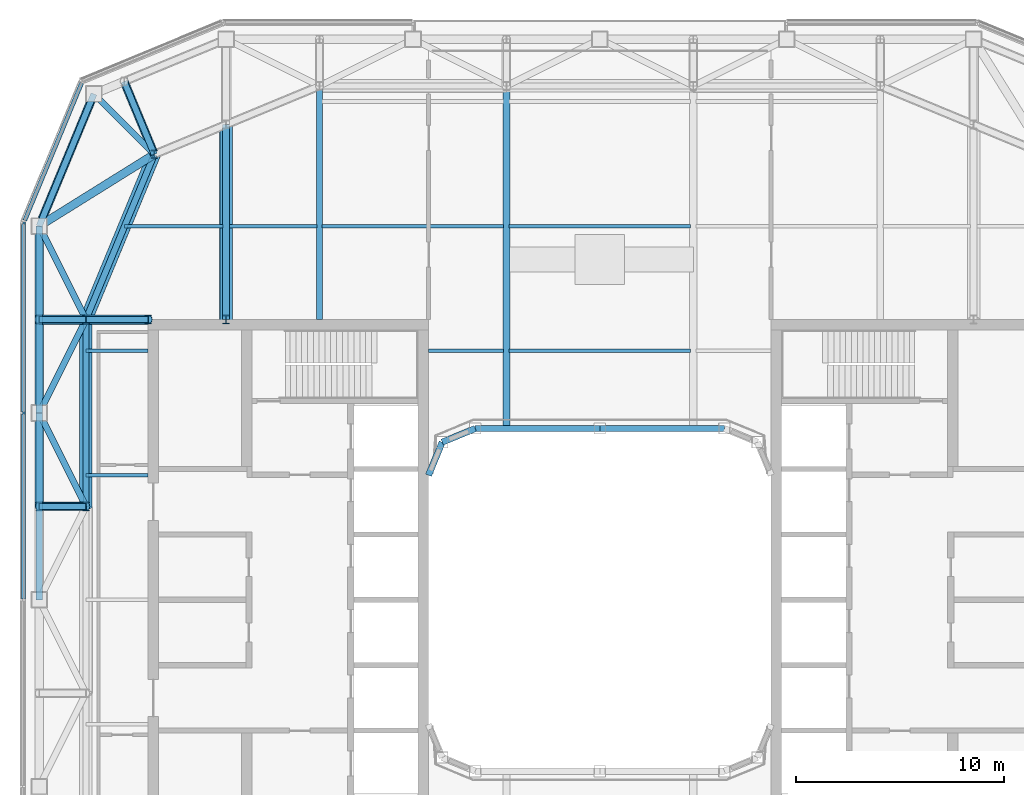
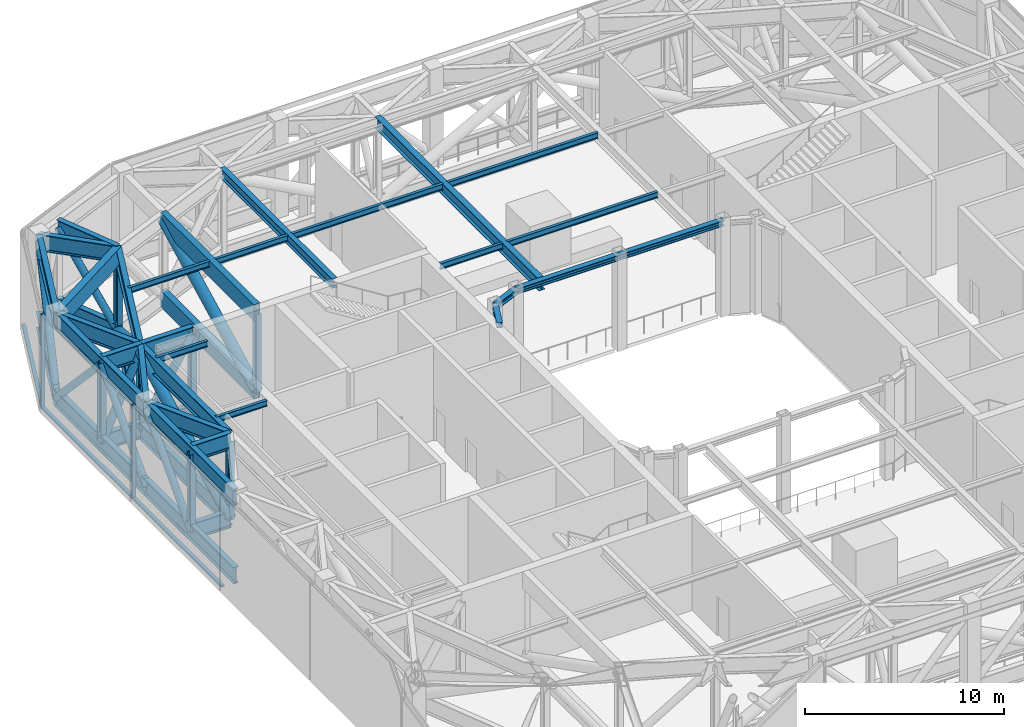
# One storey, part 6 of 21: 39 beams, 23 members, 2 elements without a shape of their own.
"""IFC4 building model written with IfcOpenShell, lengths in metres."""

from ifc_helpers import new_model, si_unit, direction, frame, origin, origin_2d, place, context, subcontext, project, spatial, rectangle, hollow_rectangle, hollow_circle, i_section, extrude, material, layer, layer_set, material_profile, profile_set, type_object, element, aggregate, save


model = new_model("IFC4")

# Units and contexts
model_context = context("Model", 3, precision=1e-05, world=origin(), true_north=direction((0.0, 1.0)))
body_context = subcontext(model_context, "Body", "Model", "MODEL_VIEW")
ifc_project = project(units=[si_unit("LENGTHUNIT", "METRE"), si_unit("AREAUNIT", "SQUARE_METRE"), si_unit("VOLUMEUNIT", "CUBIC_METRE"), si_unit("PLANEANGLEUNIT", "RADIAN"), si_unit("MASSUNIT", "GRAM", prefix="KILO")], contexts=[model_context])

# Site, building, storey
site_placement = place(None, origin())
site = spatial("IfcSite", under=ifc_project, at=site_placement, CompositionType="ELEMENT")
building_placement = place(site_placement, origin())
building = spatial("IfcBuilding", under=site, at=building_placement, Name="Siwar Civic Tower", CompositionType="ELEMENT")
storey_placement = place(building_placement, frame((0.0, 0.0, 278.199951171875)))
storey = spatial("IfcBuildingStorey", under=building, at=storey_placement, Name="L60", CompositionType="ELEMENT", Elevation=278.199951171875)

# Curtain wall, members
ifc_material_1 = material(Name="Aluminium and glass", Category="aluminium")
ifc_layer = layer(ifc_material_1, 0.199951171875)
ifc_layer_set = layer_set([ifc_layer], Name="Aluminium and glass")
curtain_wall_type = type_object("IfcCurtainWallType", Name="ENV-CW-P", PredefinedType="NOTDEFINED", material=ifc_layer_set)
curtain_wall_1_placement = place(storey_placement, origin())
curtain_wall_1 = element("IfcCurtainWall", 1, at=curtain_wall_1_placement, inside=storey, type_object=curtain_wall_type, Name="Curtain wall P W", PredefinedType="NOTDEFINED")
ifc_material_2 = material(Name="Aluminium 6063-T6", Category="aluminium")
ifc_material_profile_1 = material_profile(ifc_material_2, rectangle(XDim=0.199951171875, YDim=0.10009765625, at=origin_2d()), Name="AL 200x100")
ifc_profile_set_1 = profile_set([ifc_material_profile_1], Name="Aluminium 6063-T6")
member_type_1 = type_object("IfcMemberType", Name="ENV-MULLION-P", PredefinedType="MULLION", material=ifc_profile_set_1)
member_1_placement = place(storey_placement, frame((-27.75, 18.149169921875, 0.0), z_axis=(0.0, 0.0, 1.0), x_axis=(1.0, 0.0, 0.0)))
member_1 = element("IfcMember", 2, at=member_1_placement, type_object=member_type_1, Name="Mullion P W 1", PredefinedType="MULLION", context=body_context, shape_type="SweptSolid", body=[
    extrude(rectangle(XDim=0.199951171875, YDim=0.10009765625, at=origin_2d()), origin(), (0.0, 0.0, 1.0), 5.800048828125),
])
member_2_placement = place(storey_placement, frame((-27.75, 9.0, 0.0), z_axis=(0.0, 0.0, 1.0), x_axis=(1.0, 0.0, 0.0)))
member_2 = element("IfcMember", 3, at=member_2_placement, type_object=member_type_1, Name="Mullion P W 2", PredefinedType="MULLION", context=body_context, shape_type="SweptSolid", body=[
    extrude(rectangle(XDim=0.199951171875, YDim=0.10009765625, at=origin_2d()), origin(), (0.0, 0.0, 1.0), 5.800048828125),
])

# Curtain wall, member
curtain_wall_2_placement = place(storey_placement, origin())
curtain_wall_2 = element("IfcCurtainWall", 4, at=curtain_wall_2_placement, inside=storey, type_object=curtain_wall_type, Name="Curtain wall P NW2", PredefinedType="NOTDEFINED")
ifc_material_3 = material(Name="Aluminium 6063-T6", Category="aluminium")
ifc_material_profile_2 = material_profile(ifc_material_3, rectangle(XDim=0.199951171875, YDim=0.1201171875, at=origin_2d()), Name="AL 200x120")
ifc_profile_set_2 = profile_set([ifc_material_profile_2], Name="Aluminium 6063-T6")
member_type_2 = type_object("IfcMemberType", Name="ENV-TRANSOM-P", PredefinedType="USERDEFINED", material=ifc_profile_set_2)
member_3_placement = place(storey_placement, frame((-24.95703125, 24.891845703125, 0.06005859375), z_axis=(-0.382678484395, -0.923881582012, 0.0), x_axis=(0.923881582012, -0.382678484395, 0.0)))
member_3 = element("IfcMember", 5, at=member_3_placement, type_object=member_type_2, Name="Transom P NW2 1", ObjectType="TRANSOM", PredefinedType="USERDEFINED", context=body_context, shape_type="SweptSolid", body=[
    extrude(rectangle(XDim=0.199951171875, YDim=0.1201171875, at=origin_2d()), origin(), (0.0, 0.0, 1.0), 7.172119140625),
])
aggregate(curtain_wall_2, [member_3])

# Member
member_4_placement = place(storey_placement, frame((-27.75, 18.09912109375, 0.06005859375), z_axis=(0.0, -1.0, 0.0), x_axis=(1.0, 0.0, 0.0)))
member_4 = element("IfcMember", 6, at=member_4_placement, type_object=member_type_2, Name="Transom P W 1", ObjectType="TRANSOM", PredefinedType="USERDEFINED", context=body_context, shape_type="SweptSolid", body=[
    extrude(rectangle(XDim=0.199951171875, YDim=0.1201171875, at=origin_2d()), origin(), (0.0, 0.0, 1.0), 9.049072265625),
])

member_5_placement = place(storey_placement, frame((-27.75, 8.949951171875, 0.06005859375), z_axis=(0.0, -1.0, 0.0), x_axis=(1.0, 0.0, 0.0)))
member_5 = element("IfcMember", 7, at=member_5_placement, type_object=member_type_2, Name="Transom P W 2", ObjectType="TRANSOM", PredefinedType="USERDEFINED", context=body_context, shape_type="SweptSolid", body=[
    extrude(rectangle(XDim=0.199951171875, YDim=0.1201171875, at=origin_2d()), origin(), (0.0, 0.0, 1.0), 8.89990234375),
])

aggregate(curtain_wall_1, [member_1, member_2, member_4, member_5])

# Beams
ifc_material_4 = material(Name="Steel S460", Category="steel")
ifc_material_profile_3 = material_profile(ifc_material_4, i_section(OverallWidth=0.302001953125, OverallDepth=1.008056640625, WebThickness=0.02099609375, FlangeThickness=0.0400390625, FilletRadius=0.030029296875, at=origin_2d()), Name="HEM1000")
ifc_profile_set_3 = profile_set([ifc_material_profile_3], Name="Steel S460")
beam_type_1 = type_object("IfcBeamType", Name="STR-BELT-TRUSS-CHORD-HEM1000", PredefinedType="BEAM", material=ifc_profile_set_3)
for number, where, z_axis, x_axis, name in (
    (8, (-21.454833984375, 21.454833984375, 0.504150390625), (-0.382699877515, -0.923872720536, 0.0), (0.923872720536, -0.382699877515, 0.0), "Belt truss chord"),
    (9, (-21.454833984375, 21.454833984375, 5.296142578125), (-0.382699877515, -0.923872720536, 0.0), (0.923872720536, -0.382699877515, 0.0), "Belt truss chord"),
):
    element("IfcBeam", number, at=place(storey_placement, frame(where, z_axis=z_axis, x_axis=x_axis)), inside=storey, type_object=beam_type_1, Name=name, PredefinedType="BEAM", context=body_context, shape_type="SweptSolid", body=[
        extrude(i_section(OverallWidth=0.302001953125, OverallDepth=1.008056640625, WebThickness=0.02099609375, FlangeThickness=0.0400390625, FilletRadius=0.030029296875, at=origin_2d()), origin(), (0.0, 0.0, 1.0), 8.6103515625),
    ])
for number, where, z_axis, x_axis, name in (
    (10, (-24.75, 13.5, 0.504150390625), (0.0, -1.0, 0.0), (1.0, 0.0, 0.0), "Belt truss chord"),
    (11, (-24.75, 13.5, 5.296142578125), (0.0, -1.0, 0.0), (1.0, 0.0, 0.0), "Belt truss chord"),
):
    element("IfcBeam", number, at=place(storey_placement, frame(where, z_axis=z_axis, x_axis=x_axis)), inside=storey, type_object=beam_type_1, Name=name, PredefinedType="BEAM", context=body_context, shape_type="SweptSolid", body=[
        extrude(i_section(OverallWidth=0.302001953125, OverallDepth=1.008056640625, WebThickness=0.02099609375, FlangeThickness=0.0400390625, FilletRadius=0.030029296875, at=origin_2d()), origin(), (0.0, 0.0, 1.0), 9.0),
    ])
for number, where, z_axis, x_axis, name in (
    (12, (-24.364013671875, 24.364013671875, 0.504150390625), (-0.382674207535, -0.923883353507, 0.0), (0.923883353507, -0.382674207535, 0.0), "Belt truss chord"),
    (13, (-24.364013671875, 24.364013671875, 5.296142578125), (-0.382674207535, -0.923883353507, 0.0), (0.923883353507, -0.382674207535, 0.0), "Belt truss chord"),
):
    element("IfcBeam", number, at=place(storey_placement, frame(where, z_axis=z_axis, x_axis=x_axis)), inside=storey, type_object=beam_type_1, Name=name, PredefinedType="BEAM", context=body_context, shape_type="SweptSolid", body=[
        extrude(i_section(OverallWidth=0.302001953125, OverallDepth=1.008056640625, WebThickness=0.02099609375, FlangeThickness=0.0400390625, FilletRadius=0.030029296875, at=origin_2d()), origin(), (0.0, 0.0, 1.0), 6.888427734375),
    ])
for number, where, z_axis, x_axis, name in (
    (14, (-27.0, 18.0, 0.504150390625), (0.0, -1.0, 0.0), (1.0, 0.0, 0.0), "Belt truss chord"),
    (15, (-27.0, 18.0, 5.296142578125), (0.0, -1.0, 0.0), (1.0, 0.0, 0.0), "Belt truss chord"),
    (16, (-27.0, 9.0, 0.504150390625), (0.0, -1.0, 0.0), (1.0, 0.0, 0.0), "Belt truss chord"),
    (17, (-27.0, 9.0, 5.296142578125), (0.0, -1.0, 0.0), (1.0, 0.0, 0.0), "Belt truss chord"),
):
    element("IfcBeam", number, at=place(storey_placement, frame(where, z_axis=z_axis, x_axis=x_axis)), inside=storey, type_object=beam_type_1, Name=name, PredefinedType="BEAM", context=body_context, shape_type="SweptSolid", body=[
        extrude(i_section(OverallWidth=0.302001953125, OverallDepth=1.008056640625, WebThickness=0.02099609375, FlangeThickness=0.0400390625, FilletRadius=0.030029296875, at=origin_2d()), origin(), (0.0, 0.0, 1.0), 9.0),
    ])

# Members
ifc_material_5 = material(Name="Steel S355", Category="steel")
ifc_material_profile_4 = material_profile(ifc_material_5, hollow_circle(Radius=0.203125, WallThickness=0.01611328125, at=origin_2d()), Name="CHS406.4x16")
ifc_profile_set_4 = profile_set([ifc_material_profile_4], Name="Steel S355")
member_type_3 = type_object("IfcMemberType", Name="STR-BELT-TRUSS-DIAGONAL-CHS406.4x16", PredefinedType="BRACE", material=ifc_profile_set_4)
member_6_placement = place(storey_placement, frame((-27.00146484375, 17.99609375, 0.501220703125), z_axis=(0.314142859752, 0.758418164088, 0.571065803606), x_axis=(-0.923881354208, 0.38267903437, 0.0)))
element("IfcMember", 18, at=member_6_placement, inside=storey, type_object=member_type_3, Name="Belt truss diagonal", PredefinedType="BRACE", context=body_context, shape_type="SweptSolid", body=[
    extrude(hollow_circle(Radius=0.203125, WallThickness=0.01611328125, at=origin_2d()), origin(), (0.0, 0.0, 1.0), 8.401123046875),
])
for number, where, z_axis, x_axis, name in (
    (19, (-27.0, 18.00341796875, 0.50048828125), (0.0, -0.684545317859, 0.728970306526), (1.0, 0.0, 0.0), "Belt truss diagonal"),
    (20, (-27.0, 8.99658203125, 0.50048828125), (0.0, 0.684545317859, 0.728970306526), (-1.0, 0.0, 0.0), "Belt truss diagonal"),
    (21, (-27.0, 4.49658203125, 0.50048828125), (0.0, 0.684545317859, 0.728970306526), (-1.0, 0.0, 0.0), "Belt truss diagonal"),
):
    element("IfcMember", number, at=place(storey_placement, frame(where, z_axis=z_axis, x_axis=x_axis)), inside=storey, type_object=member_type_3, Name=name, PredefinedType="BRACE", context=body_context, shape_type="SweptSolid", body=[
        extrude(hollow_circle(Radius=0.203125, WallThickness=0.01611328125, at=origin_2d()), origin(), (0.0, 0.0, 1.0), 6.583740234375),
    ])
member_7_placement = place(storey_placement, frame((-21.453857421875, 21.4521484375, 0.500244140625), z_axis=(-0.237796368673, 0.574106667856, 0.783488622106), x_axis=(-0.923883173454, -0.382674642233, 0.0)))
element("IfcMember", 22, at=member_7_placement, inside=storey, type_object=member_type_3, Name="Belt truss diagonal", PredefinedType="BRACE", context=body_context, shape_type="SweptSolid", body=[
    extrude(hollow_circle(Radius=0.203125, WallThickness=0.01611328125, at=origin_2d()), origin(), (0.0, 0.0, 1.0), 6.126220703125),
])
member_8_placement = place(storey_placement, frame((-24.747802734375, 4.5, 0.49951171875), z_axis=(-0.425038765055, 0.0, 0.905175147803), x_axis=(0.0, -1.0, 0.0)))
element("IfcMember", 23, at=member_8_placement, inside=storey, type_object=member_type_3, Name="Belt truss diagonal", PredefinedType="BRACE", context=body_context, shape_type="SweptSolid", body=[
    extrude(hollow_circle(Radius=0.203125, WallThickness=0.01611328125, at=origin_2d()), origin(), (0.0, 0.0, 1.0), 5.303955078125),
])
ifc_material_6 = material(Name="Steel S355", Category="steel")
ifc_material_profile_5 = material_profile(ifc_material_6, hollow_circle(Radius=0.304931640625, WallThickness=0.030029296875, at=origin_2d()), Name="CHS610x30")
ifc_profile_set_5 = profile_set([ifc_material_profile_5], Name="Steel S355")
member_type_4 = type_object("IfcMemberType", Name="STR-BELT-TRUSS-DIAGONAL-CHS610x30", PredefinedType="BRACE", material=ifc_profile_set_5)
member_9_placement = place(storey_placement, frame((-21.453369140625, 21.458984375, 0.501708984375), z_axis=(-0.334378008671, -0.807284049506, 0.486296011427), x_axis=(0.923883575944, -0.382673670509, 0.0)))
element("IfcMember", 24, at=member_9_placement, inside=storey, type_object=member_type_4, Name="Belt truss diagonal", PredefinedType="BRACE", context=body_context, shape_type="SweptSolid", body=[
    extrude(hollow_circle(Radius=0.304931640625, WallThickness=0.030029296875, at=origin_2d()), origin(), (0.0, 0.0, 1.0), 9.864013671875),
])
member_10_placement = place(storey_placement, frame((-24.75, 4.49560546875, 0.501708984375), z_axis=(0.0, 0.882680501151, 0.469973544881), x_axis=(-1.0, 0.0, 0.0)))
element("IfcMember", 25, at=member_10_placement, inside=storey, type_object=member_type_4, Name="Belt truss diagonal", PredefinedType="BRACE", context=body_context, shape_type="SweptSolid", body=[
    extrude(hollow_circle(Radius=0.304931640625, WallThickness=0.030029296875, at=origin_2d()), origin(), (0.0, 0.0, 1.0), 10.2060546875),
])

# Beams
ifc_material_7 = material(Name="Steel S460", Category="steel")
ifc_material_profile_6 = material_profile(ifc_material_7, i_section(OverallWidth=0.302001953125, OverallDepth=1.008056640625, WebThickness=0.02099609375, FlangeThickness=0.0400390625, FilletRadius=0.030029296875, at=origin_2d()), Name="HEM1000")
ifc_profile_set_6 = profile_set([ifc_material_profile_6], Name="Steel S460")
beam_type_2 = type_object("IfcBeamType", Name="STR-BELT-TRUSS-LADDER-CHORD-HEM1000", PredefinedType="BEAM", material=ifc_profile_set_6)
for number, where, z_axis, x_axis, name in (
    (26, (-21.454833984375, 21.454833984375, 0.504150390625), (-0.382680807349, 0.923880619824, 0.0), (-0.923880619824, -0.382680807349, 0.0), "Belt truss ladder chord"),
    (27, (-21.454833984375, 21.454833984375, 5.296142578125), (-0.382680807349, 0.923880619824, 0.0), (-0.923880619824, -0.382680807349, 0.0), "Belt truss ladder chord"),
):
    element("IfcBeam", number, at=place(storey_placement, frame(where, z_axis=z_axis, x_axis=x_axis)), inside=storey, type_object=beam_type_2, Name=name, PredefinedType="BEAM", context=body_context, shape_type="SweptSolid", body=[
        extrude(i_section(OverallWidth=0.302001953125, OverallDepth=1.008056640625, WebThickness=0.02099609375, FlangeThickness=0.0400390625, FilletRadius=0.030029296875, at=origin_2d()), origin(), (0.0, 0.0, 1.0), 3.801025390625),
    ])
for number, where, z_axis, x_axis, name in (
    (28, (-24.75, 4.5, 0.504150390625), (-1.0, 0.0, 0.0), (0.0, -1.0, 0.0), "Belt truss ladder chord"),
    (29, (-24.75, 4.5, 5.296142578125), (-1.0, 0.0, 0.0), (0.0, -1.0, 0.0), "Belt truss ladder chord"),
):
    element("IfcBeam", number, at=place(storey_placement, frame(where, z_axis=z_axis, x_axis=x_axis)), inside=storey, type_object=beam_type_2, Name=name, PredefinedType="BEAM", context=body_context, shape_type="SweptSolid", body=[
        extrude(i_section(OverallWidth=0.302001953125, OverallDepth=1.008056640625, WebThickness=0.02099609375, FlangeThickness=0.0400390625, FilletRadius=0.030029296875, at=origin_2d()), origin(), (0.0, 0.0, 1.0), 2.25),
    ])

# Members
ifc_material_8 = material(Name="Steel S355", Category="steel")
ifc_material_profile_7 = material_profile(ifc_material_8, i_section(OverallWidth=0.300048828125, OverallDepth=0.39990234375, WebThickness=0.013427734375, FlangeThickness=0.02392578125, FilletRadius=0.027099609375, at=origin_2d()), Name="HEB400")
ifc_profile_set_7 = profile_set([ifc_material_profile_7], Name="Steel S355")
member_type_5 = type_object("IfcMemberType", Name="STR-BELT-TRUSS-POST-HEB400", PredefinedType="POST", material=ifc_profile_set_7)
for number, where, z_axis, x_axis, name in (
    (30, (-27.0, 4.5, 0.504150390625), (0.0, 0.0, 1.0), (1.0, 0.0, 0.0), "Belt truss post"),
    (31, (-27.0, 13.5, 0.504150390625), (0.0, 0.0, 1.0), (1.0, 0.0, 0.0), "Belt truss post"),
    (32, (-24.75, 4.5, 0.504150390625), (0.0, 0.0, 1.0), (1.0, 0.0, 0.0), "Belt truss post"),
    (33, (-24.75, 13.5, 0.504150390625), (0.0, 0.0, 1.0), (1.0, 0.0, 0.0), "Belt truss post"),
    (34, (-21.454833984375, 21.454833984375, 0.504150390625), (0.0, 0.0, 1.0), (1.0, 0.0, 0.0), "Belt truss post"),
):
    element("IfcMember", number, at=place(storey_placement, frame(where, z_axis=z_axis, x_axis=x_axis)), inside=storey, type_object=member_type_5, Name=name, PredefinedType="POST", context=body_context, shape_type="SweptSolid", body=[
        extrude(i_section(OverallWidth=0.300048828125, OverallDepth=0.39990234375, WebThickness=0.013427734375, FlangeThickness=0.02392578125, FilletRadius=0.027099609375, at=origin_2d()), origin(), (0.0, 0.0, 1.0), 4.7919921875),
    ])

# Beams
ifc_material_9 = material(Name="Steel S355", Category="steel")
ifc_material_profile_8 = material_profile(ifc_material_9, i_section(OverallWidth=0.169921875, OverallDepth=0.360107421875, WebThickness=0.008056640625, FlangeThickness=0.0126953125, FilletRadius=0.01806640625, at=origin_2d()), Name="IPE360")
ifc_profile_set_8 = profile_set([ifc_material_profile_8], Name="Steel S355")
beam_type_3 = type_object("IfcBeamType", Name="STR-FB-IPE360", PredefinedType="JOIST", material=ifc_profile_set_8)
for number, where, z_axis, x_axis, name in (
    (35, (-24.75, 6.0, 5.6201171875), (1.0, 0.0, 0.0), (0.0, 1.0, 0.0), "L60/bm/F020"),
    (36, (-24.75, 12.0, 5.6201171875), (1.0, 0.0, 0.0), (0.0, 1.0, 0.0), "L60/bm/F022"),
):
    element("IfcBeam", number, at=place(storey_placement, frame(where, z_axis=z_axis, x_axis=x_axis)), inside=storey, type_object=beam_type_3, Name=name, PredefinedType="JOIST", context=body_context, shape_type="SweptSolid", body=[
        extrude(i_section(OverallWidth=0.169921875, OverallDepth=0.360107421875, WebThickness=0.008056640625, FlangeThickness=0.0126953125, FilletRadius=0.01806640625, at=origin_2d()), origin(), (0.0, 0.0, 1.0), 3.0),
    ])
beam_1_placement = place(storey_placement, frame((-8.25, 12.0, 5.6201171875), z_axis=(1.0, 0.0, 0.0), x_axis=(0.0, 1.0, 0.0)))
element("IfcBeam", 37, at=beam_1_placement, inside=storey, type_object=beam_type_3, Name="L60/bm/F023", PredefinedType="JOIST", context=body_context, shape_type="SweptSolid", body=[
    extrude(i_section(OverallWidth=0.169921875, OverallDepth=0.360107421875, WebThickness=0.008056640625, FlangeThickness=0.0126953125, FilletRadius=0.01806640625, at=origin_2d()), origin(), (0.0, 0.0, 1.0), 3.6201171875),
])
beam_2_placement = place(storey_placement, frame((-4.3701171875, 12.0, 5.6201171875), z_axis=(1.0, 0.0, 0.0), x_axis=(0.0, 1.0, 0.0)))
element("IfcBeam", 38, at=beam_2_placement, inside=storey, type_object=beam_type_3, Name="L60/bm/F024", PredefinedType="JOIST", context=body_context, shape_type="SweptSolid", body=[
    extrude(i_section(OverallWidth=0.169921875, OverallDepth=0.360107421875, WebThickness=0.008056640625, FlangeThickness=0.0126953125, FilletRadius=0.01806640625, at=origin_2d()), origin(), (0.0, 0.0, 1.0), 8.740234375),
])
beam_3_placement = place(storey_placement, frame((-22.885986328125, 18.0, 5.6201171875), z_axis=(1.0, 0.0, 0.0), x_axis=(0.0, 1.0, 0.0)))
element("IfcBeam", 39, at=beam_3_placement, inside=storey, type_object=beam_type_3, Name="L60/bm/F027", PredefinedType="JOIST", context=body_context, shape_type="SweptSolid", body=[
    extrude(i_section(OverallWidth=0.169921875, OverallDepth=0.360107421875, WebThickness=0.008056640625, FlangeThickness=0.0126953125, FilletRadius=0.01806640625, at=origin_2d()), origin(), (0.0, 0.0, 1.0), 4.73095703125),
])
beam_4_placement = place(storey_placement, frame((-17.844970703125, 18.0, 5.6201171875), z_axis=(1.0, 0.0, 0.0), x_axis=(0.0, 1.0, 0.0)))
element("IfcBeam", 40, at=beam_4_placement, inside=storey, type_object=beam_type_3, Name="L60/bm/F028", PredefinedType="JOIST", context=body_context, shape_type="SweptSolid", body=[
    extrude(i_section(OverallWidth=0.169921875, OverallDepth=0.360107421875, WebThickness=0.008056640625, FlangeThickness=0.0126953125, FilletRadius=0.01806640625, at=origin_2d()), origin(), (0.0, 0.0, 1.0), 4.215087890625),
])
for number, where, z_axis, x_axis, name in (
    (41, (-13.3701171875, 18.0, 5.6201171875), (1.0, 0.0, 0.0), (0.0, 1.0, 0.0), "L60/bm/F029"),
    (42, (-4.3701171875, 18.0, 5.6201171875), (1.0, 0.0, 0.0), (0.0, 1.0, 0.0), "L60/bm/F030"),
):
    element("IfcBeam", number, at=place(storey_placement, frame(where, z_axis=z_axis, x_axis=x_axis)), inside=storey, type_object=beam_type_3, Name=name, PredefinedType="JOIST", context=body_context, shape_type="SweptSolid", body=[
        extrude(i_section(OverallWidth=0.169921875, OverallDepth=0.360107421875, WebThickness=0.008056640625, FlangeThickness=0.0126953125, FilletRadius=0.01806640625, at=origin_2d()), origin(), (0.0, 0.0, 1.0), 8.740234375),
    ])
ifc_material_10 = material(Name="Steel S460", Category="steel")
ifc_material_profile_9 = material_profile(ifc_material_10, hollow_rectangle(XDim=0.35009765625, YDim=1.008056640625, WallThickness=0.0400390625, at=origin_2d()), Name="BOX1008x350x40")
ifc_profile_set_9 = profile_set([ifc_material_profile_9], Name="Steel S460")
beam_type_4 = type_object("IfcBeamType", Name="STR-OUTRIGGER-TRUSS-CHORD-BOX1008x350x40", PredefinedType="BEAM", material=ifc_profile_set_9)
for number, where, z_axis, x_axis, name in (
    (43, (-18.0, 22.885986328125, 0.504150390625), (0.0, -1.0, 0.0), (1.0, 0.0, 0.0), "Outrigger truss chord"),
    (44, (-18.0, 22.885986328125, 5.296142578125), (0.0, -1.0, 0.0), (1.0, 0.0, 0.0), "Outrigger truss chord"),
):
    element("IfcBeam", number, at=place(storey_placement, frame(where, z_axis=z_axis, x_axis=x_axis)), inside=storey, type_object=beam_type_4, Name=name, PredefinedType="BEAM", context=body_context, shape_type="SweptSolid", body=[
        extrude(hollow_rectangle(XDim=0.35009765625, YDim=1.008056640625, WallThickness=0.0400390625, at=origin_2d()), origin(), (0.0, 0.0, 1.0), 9.385986328125),
    ])
ifc_material_11 = material(Name="Steel S460", Category="steel")
ifc_material_profile_10 = material_profile(ifc_material_11, i_section(OverallWidth=0.302001953125, OverallDepth=1.008056640625, WebThickness=0.02099609375, FlangeThickness=0.0400390625, FilletRadius=0.030029296875, at=origin_2d()), Name="HEM1000")
ifc_profile_set_10 = profile_set([ifc_material_profile_10], Name="Steel S460")
beam_type_5 = type_object("IfcBeamType", Name="STR-OUTRIGGER-TRUSS-CHORD-HEM1000", PredefinedType="BEAM", material=ifc_profile_set_10)
for number, where, z_axis, x_axis, name in (
    (45, (-24.75, 13.5, 0.504150390625), (-1.0, 0.0, 0.0), (0.0, -1.0, 0.0), "Outrigger truss chord"),
    (46, (-24.75, 13.5, 5.296142578125), (-1.0, 0.0, 0.0), (0.0, -1.0, 0.0), "Outrigger truss chord"),
):
    element("IfcBeam", number, at=place(storey_placement, frame(where, z_axis=z_axis, x_axis=x_axis)), inside=storey, type_object=beam_type_5, Name=name, PredefinedType="BEAM", context=body_context, shape_type="SweptSolid", body=[
        extrude(i_section(OverallWidth=0.302001953125, OverallDepth=1.008056640625, WebThickness=0.02099609375, FlangeThickness=0.0400390625, FilletRadius=0.030029296875, at=origin_2d()), origin(), (0.0, 0.0, 1.0), 2.25),
    ])
for number, where, z_axis, x_axis, name in (
    (47, (-24.75, 13.5, 0.504150390625), (1.0, 0.0, 0.0), (0.0, 1.0, 0.0), "Outrigger truss chord"),
    (48, (-24.75, 13.5, 5.296142578125), (1.0, 0.0, 0.0), (0.0, 1.0, 0.0), "Outrigger truss chord"),
):
    element("IfcBeam", number, at=place(storey_placement, frame(where, z_axis=z_axis, x_axis=x_axis)), inside=storey, type_object=beam_type_5, Name=name, PredefinedType="BEAM", context=body_context, shape_type="SweptSolid", body=[
        extrude(i_section(OverallWidth=0.302001953125, OverallDepth=1.008056640625, WebThickness=0.02099609375, FlangeThickness=0.0400390625, FilletRadius=0.030029296875, at=origin_2d()), origin(), (0.0, 0.0, 1.0), 3.0),
    ])

# Members
ifc_material_12 = material(Name="Steel S355", Category="steel")
ifc_material_profile_11 = material_profile(ifc_material_12, hollow_circle(Radius=0.228515625, WallThickness=0.02001953125, at=origin_2d()), Name="CHS457x20")
ifc_profile_set_11 = profile_set([ifc_material_profile_11], Name="Steel S355")
member_type_6 = type_object("IfcMemberType", Name="STR-OUTRIGGER-TRUSS-DIAGONAL-CHS457x20", PredefinedType="BRACE", material=ifc_profile_set_11)
member_11_placement = place(storey_placement, frame((-27.002197265625, 13.5, 0.49951171875), z_axis=(0.425038765055, 0.0, 0.905175147803), x_axis=(0.0, 1.0, 0.0)))
element("IfcMember", 49, at=member_11_placement, inside=storey, type_object=member_type_6, Name="Outrigger truss diagonal", PredefinedType="BRACE", context=body_context, shape_type="SweptSolid", body=[
    extrude(hollow_circle(Radius=0.228515625, WallThickness=0.02001953125, at=origin_2d()), origin(), (0.0, 0.0, 1.0), 5.303955078125),
])
member_12_placement = place(storey_placement, frame((-24.752685546875, 13.5, 0.499755859375), z_axis=(0.530638118245, 0.0, 0.847598482458), x_axis=(0.0, 1.0, 0.0)))
element("IfcMember", 50, at=member_12_placement, inside=storey, type_object=member_type_6, Name="Outrigger truss diagonal", PredefinedType="BRACE", context=body_context, shape_type="SweptSolid", body=[
    extrude(hollow_circle(Radius=0.228515625, WallThickness=0.02001953125, at=origin_2d()), origin(), (0.0, 0.0, 1.0), 5.66357421875),
])
ifc_material_13 = material(Name="Steel S355", Category="steel")
ifc_material_profile_12 = material_profile(ifc_material_13, hollow_circle(Radius=0.304931640625, WallThickness=0.030029296875, at=origin_2d()), Name="CHS610x30")
ifc_profile_set_12 = profile_set([ifc_material_profile_12], Name="Steel S355")
member_type_7 = type_object("IfcMemberType", Name="STR-OUTRIGGER-TRUSS-DIAGONAL-CHS610x30", PredefinedType="BRACE", material=ifc_profile_set_12)
member_13_placement = place(storey_placement, frame((-18.0, 13.49560546875, 0.501708984375), z_axis=(0.0, 0.890632189347, 0.454724425667), x_axis=(-1.0, 0.0, 0.0)))
element("IfcMember", 51, at=member_13_placement, inside=storey, type_object=member_type_7, Name="Outrigger truss diagonal", PredefinedType="BRACE", context=body_context, shape_type="SweptSolid", body=[
    extrude(hollow_circle(Radius=0.304931640625, WallThickness=0.030029296875, at=origin_2d()), origin(), (0.0, 0.0, 1.0), 10.54833984375),
])
ifc_material_14 = material(Name="Steel S355", Category="steel")
ifc_material_profile_13 = material_profile(ifc_material_14, i_section(OverallWidth=0.300048828125, OverallDepth=0.39990234375, WebThickness=0.013427734375, FlangeThickness=0.02392578125, FilletRadius=0.027099609375, at=origin_2d()), Name="HEB400")
ifc_profile_set_13 = profile_set([ifc_material_profile_13], Name="Steel S355")
member_type_8 = type_object("IfcMemberType", Name="STR-OUTRIGGER-TRUSS-POST-HEB400", PredefinedType="POST", material=ifc_profile_set_13)
for number, where, z_axis, x_axis, name in (
    (52, (-21.75, 13.5, 0.504150390625), (0.0, 0.0, 1.0), (1.0, 0.0, 0.0), "Outrigger truss post"),
    (53, (-18.0, 13.5, 0.504150390625), (0.0, 0.0, 1.0), (1.0, 0.0, 0.0), "Outrigger truss post"),
):
    element("IfcMember", number, at=place(storey_placement, frame(where, z_axis=z_axis, x_axis=x_axis)), inside=storey, type_object=member_type_8, Name=name, PredefinedType="POST", context=body_context, shape_type="SweptSolid", body=[
        extrude(i_section(OverallWidth=0.300048828125, OverallDepth=0.39990234375, WebThickness=0.013427734375, FlangeThickness=0.02392578125, FilletRadius=0.027099609375, at=origin_2d()), origin(), (0.0, 0.0, 1.0), 4.7919921875),
    ])

# Beams
ifc_material_15 = material(Name="Steel S355", Category="steel")
ifc_material_profile_14 = material_profile(ifc_material_15, i_section(OverallWidth=0.300048828125, OverallDepth=0.60009765625, WebThickness=0.015380859375, FlangeThickness=0.030029296875, FilletRadius=0.027099609375, at=origin_2d()), Name="HEB600")
ifc_profile_set_14 = profile_set([ifc_material_profile_14], Name="Steel S355")
beam_type_6 = type_object("IfcBeamType", Name="STR-PG-HEB600", PredefinedType="BEAM", material=ifc_profile_set_14)
beam_5_placement = place(storey_placement, frame((-13.5, 13.5, 5.5), z_axis=(0.0, 1.0, 0.0), x_axis=(-1.0, 0.0, 0.0)))
element("IfcBeam", 54, at=beam_5_placement, inside=storey, type_object=beam_type_6, Name="L60/bm/G02", PredefinedType="BEAM", context=body_context, shape_type="SweptSolid", body=[
    extrude(i_section(OverallWidth=0.300048828125, OverallDepth=0.60009765625, WebThickness=0.015380859375, FlangeThickness=0.030029296875, FilletRadius=0.027099609375, at=origin_2d()), origin(), (0.0, 0.0, 1.0), 11.25),
])
ifc_material_16 = material(Name="Steel S355", Category="steel")
ifc_material_profile_15 = material_profile(ifc_material_16, i_section(OverallWidth=0.340087890625, OverallDepth=0.699951171875, WebThickness=0.013916015625, FlangeThickness=0.030029296875, at=origin_2d()), Name="PG700x340x14x30")
ifc_profile_set_15 = profile_set([ifc_material_profile_15], Name="Steel S355")
beam_type_7 = type_object("IfcBeamType", Name="STR-PG-PG700x340x14x30", PredefinedType="BEAM", material=ifc_profile_set_15)
beam_6_placement = place(storey_placement, frame((-4.5, 8.25, 5.449951171875), z_axis=(0.0, 1.0, 0.0), x_axis=(-1.0, 0.0, 0.0)))
element("IfcBeam", 55, at=beam_6_placement, inside=storey, type_object=beam_type_7, Name="L60/bm/G04", PredefinedType="BEAM", context=body_context, shape_type="SweptSolid", body=[
    extrude(i_section(OverallWidth=0.340087890625, OverallDepth=0.699951171875, WebThickness=0.013916015625, FlangeThickness=0.030029296875, at=origin_2d()), origin(), (0.0, 0.0, 1.0), 16.5),
])
ifc_material_17 = material(Name="Steel S355", Category="steel")
ifc_material_profile_16 = material_profile(ifc_material_17, i_section(OverallWidth=0.31005859375, OverallDepth=0.340087890625, WebThickness=0.02099609375, FlangeThickness=0.0390625, FilletRadius=0.027099609375, at=origin_2d()), Name="HEM300")
ifc_profile_set_16 = profile_set([ifc_material_profile_16], Name="Steel S355")
beam_type_8 = type_object("IfcBeamType", Name="STR-RB-HEM300", PredefinedType="BEAM", material=ifc_profile_set_16)
beam_7_placement = place(storey_placement, frame((-7.591064453125, 7.591064453125, 5.630126953125), z_axis=(0.923901072997, 0.382631424892, 0.0), x_axis=(-0.382631424892, 0.923901072997, 0.0)))
element("IfcBeam", 56, at=beam_7_placement, inside=storey, type_object=beam_type_8, Name="L60/bm/RN0", PredefinedType="BEAM", context=body_context, shape_type="SweptSolid", body=[
    extrude(i_section(OverallWidth=0.31005859375, OverallDepth=0.340087890625, WebThickness=0.02099609375, FlangeThickness=0.0390625, FilletRadius=0.027099609375, at=origin_2d()), origin(), (0.0, 0.0, 1.0), 1.72216796875),
])
for number, where, z_axis, x_axis, name in (
    (57, (-6.0, 8.25, 5.630126953125), (1.0, 0.0, 0.0), (0.0, 1.0, 0.0), "L60/bm/RN1"),
    (58, (0.0, 8.25, 5.630126953125), (1.0, 0.0, 0.0), (0.0, 1.0, 0.0), "L60/bm/RN2"),
):
    element("IfcBeam", number, at=place(storey_placement, frame(where, z_axis=z_axis, x_axis=x_axis)), inside=storey, type_object=beam_type_8, Name=name, PredefinedType="BEAM", context=body_context, shape_type="SweptSolid", body=[
        extrude(i_section(OverallWidth=0.31005859375, OverallDepth=0.340087890625, WebThickness=0.02099609375, FlangeThickness=0.0390625, FilletRadius=0.027099609375, at=origin_2d()), origin(), (0.0, 0.0, 1.0), 6.0),
    ])
beam_8_placement = place(storey_placement, frame((-7.591064453125, 7.591064453125, 5.630126953125), z_axis=(-0.382631424892, -0.923901072997, 0.0), x_axis=(0.923901072997, -0.382631424892, 0.0)))
element("IfcBeam", 59, at=beam_8_placement, inside=storey, type_object=beam_type_8, Name="L60/bm/RNEW", PredefinedType="BEAM", context=body_context, shape_type="SweptSolid", body=[
    extrude(i_section(OverallWidth=0.31005859375, OverallDepth=0.340087890625, WebThickness=0.02099609375, FlangeThickness=0.0390625, FilletRadius=0.027099609375, at=origin_2d()), origin(), (0.0, 0.0, 1.0), 1.72216796875),
])
ifc_material_18 = material(Name="Steel S460", Category="steel")
ifc_material_profile_17 = material_profile(ifc_material_18, hollow_rectangle(XDim=0.39990234375, YDim=1.008056640625, WallThickness=0.0400390625, at=origin_2d()), Name="BOX1008x400x40")
ifc_profile_set_17 = profile_set([ifc_material_profile_17], Name="Steel S460")
beam_type_9 = type_object("IfcBeamType", Name="STR-TRANSFER-GIRDER-BOX1008x400x40", PredefinedType="BEAM", material=ifc_profile_set_17)
beam_9_placement = place(storey_placement, frame((-21.454833984375, 21.454833984375, 5.296142578125), z_axis=(-0.848746922137, -0.528799264525, 0.0), x_axis=(0.528799264525, -0.848746922137, 0.0)))
element("IfcBeam", 60, at=beam_9_placement, inside=storey, type_object=beam_type_9, Name="Transfer girder", PredefinedType="BEAM", context=body_context, shape_type="SweptSolid", body=[
    extrude(hollow_rectangle(XDim=0.39990234375, YDim=1.008056640625, WallThickness=0.0400390625, at=origin_2d()), origin(), (0.0, 0.0, 1.0), 6.533447265625),
])
ifc_material_19 = material(Name="Steel S460", Category="steel")
ifc_material_profile_18 = material_profile(ifc_material_19, i_section(OverallWidth=0.302001953125, OverallDepth=1.008056640625, WebThickness=0.02099609375, FlangeThickness=0.0400390625, FilletRadius=0.030029296875, at=origin_2d()), Name="HEM1000")
ifc_profile_set_18 = profile_set([ifc_material_profile_18], Name="Steel S460")
beam_type_10 = type_object("IfcBeamType", Name="STR-TRANSFER-GIRDER-HEM1000", PredefinedType="BEAM", material=ifc_profile_set_18)
beam_10_placement = place(storey_placement, frame((-21.454833984375, 21.454833984375, 5.296142578125), z_axis=(-0.707106781187, 0.707106781187, 0.0), x_axis=(-0.707106781187, -0.707106781187, 0.0)))
element("IfcBeam", 61, at=beam_10_placement, inside=storey, type_object=beam_type_10, Name="Transfer girder", PredefinedType="BEAM", context=body_context, shape_type="SweptSolid", body=[
    extrude(i_section(OverallWidth=0.302001953125, OverallDepth=1.008056640625, WebThickness=0.02099609375, FlangeThickness=0.0400390625, FilletRadius=0.030029296875, at=origin_2d()), origin(), (0.0, 0.0, 1.0), 4.1142578125),
])
for number, where, z_axis, x_axis, name in (
    (62, (-24.75, 13.5, 5.296142578125), (-0.4472135955, -0.894427191, 0.0), (0.894427191, -0.4472135955, 0.0), "Transfer girder"),
    (63, (-24.75, 13.5, 5.296142578125), (-0.4472135955, 0.894427191, 0.0), (-0.894427191, -0.4472135955, 0.0), "Transfer girder"),
    (64, (-24.75, 4.5, 5.296142578125), (-0.4472135955, 0.894427191, 0.0), (-0.894427191, -0.4472135955, 0.0), "Transfer girder"),
):
    element("IfcBeam", number, at=place(storey_placement, frame(where, z_axis=z_axis, x_axis=x_axis)), inside=storey, type_object=beam_type_10, Name=name, PredefinedType="BEAM", context=body_context, shape_type="SweptSolid", body=[
        extrude(i_section(OverallWidth=0.302001953125, OverallDepth=1.008056640625, WebThickness=0.02099609375, FlangeThickness=0.0400390625, FilletRadius=0.030029296875, at=origin_2d()), origin(), (0.0, 0.0, 1.0), 5.03125),
    ])

save(model, "model.ifc")
